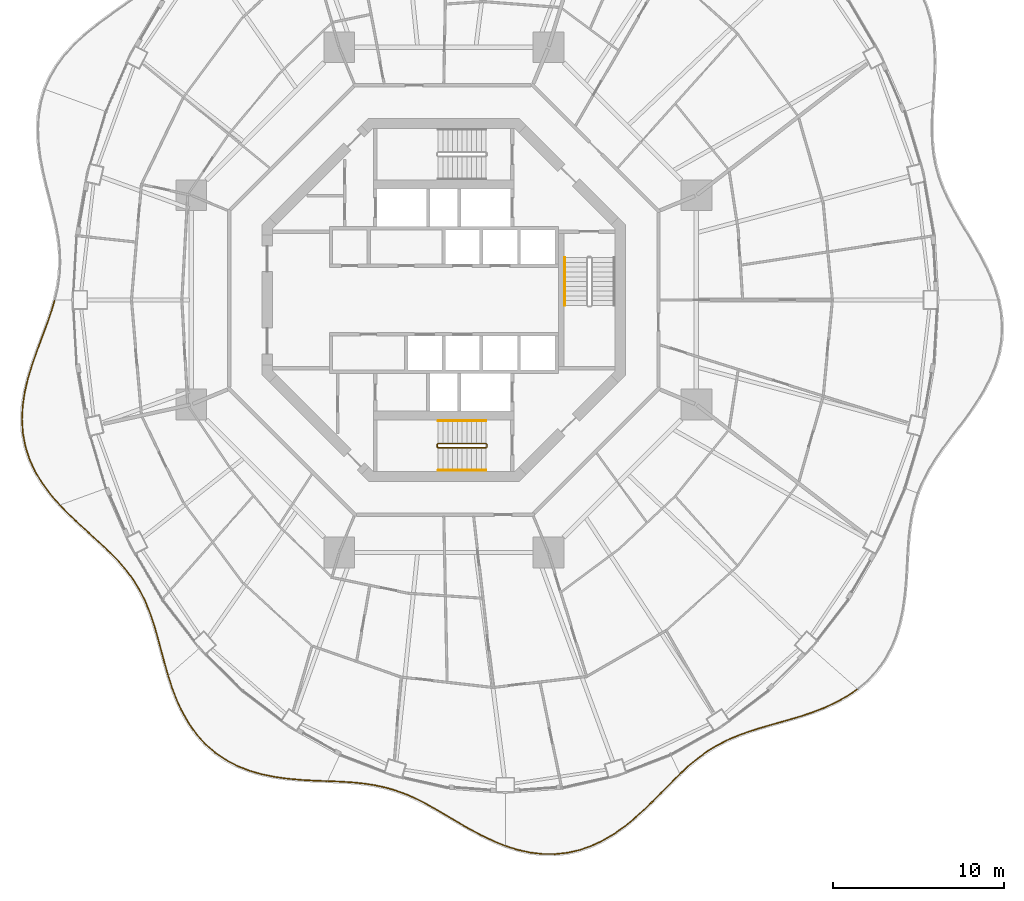
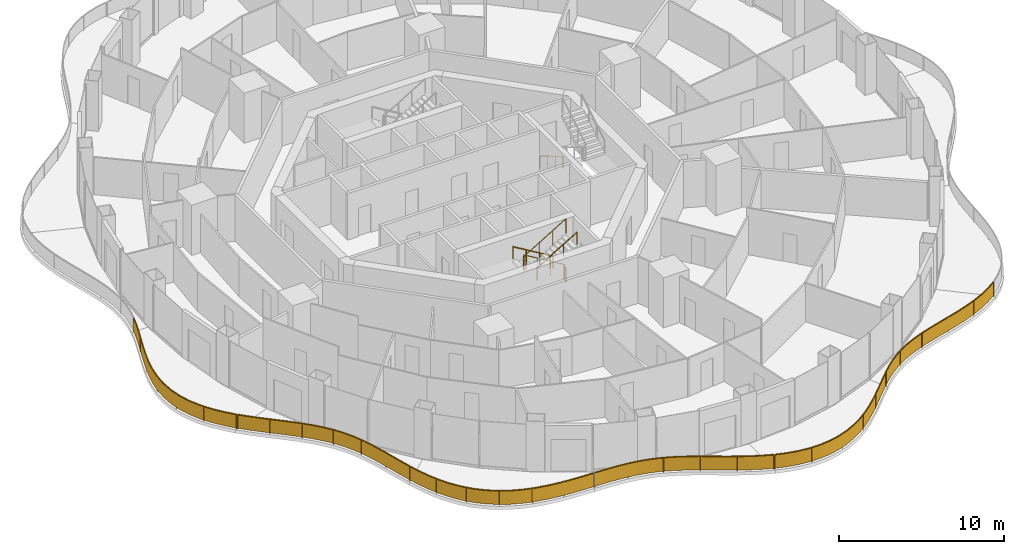
# One storey, part 17 of 19: 10 railings.
"""IFC4 building model written with IfcOpenShell, lengths in metres."""

from ifc_helpers import new_model, si_unit, direction, frame, origin, origin_2d, place, context, subcontext, project, spatial, polyline, rectangle, circle, outline, extrude, material, type_object, element, save


model = new_model("IFC4")

# Units and contexts
model_context = context("Model", 3, precision=1e-05, world=origin(), true_north=direction((0.0, 1.0)))
body_context = subcontext(model_context, "Body", "Model", "MODEL_VIEW")
ifc_project = project(units=[si_unit("LENGTHUNIT", "METRE"), si_unit("AREAUNIT", "SQUARE_METRE"), si_unit("VOLUMEUNIT", "CUBIC_METRE"), si_unit("PLANEANGLEUNIT", "RADIAN"), si_unit("MASSUNIT", "GRAM", prefix="KILO")], contexts=[model_context])

# Site, building, storey
site_placement = place(None, origin())
site = spatial("IfcSite", under=ifc_project, at=site_placement, CompositionType="ELEMENT")
building_placement = place(site_placement, origin())
building = spatial("IfcBuilding", under=site, at=building_placement, Name="Nagisa Residences", CompositionType="ELEMENT")
storey_placement = place(building_placement, frame((0.0, 0.0, 180.699951171875)))
storey = spatial("IfcBuildingStorey", under=building, at=storey_placement, Name="L45", CompositionType="ELEMENT", Elevation=180.699951171875)

# Railings
ifc_material_1 = material(Name="Stainless steel 316", Category="steel")
railing_type_1 = type_object("IfcRailingType", Name="BALCONY GUARD 1100", PredefinedType="BALUSTRADE", material=ifc_material_1)
railing_1_placement = place(storey_placement, frame((-22.77294921875, -0.0341796875, 0.0)))
element("IfcRailing", 1, at=railing_1_placement, inside=storey, type_object=railing_type_1, Name="guard:L45:bal08-0", PredefinedType="BALUSTRADE", context=body_context, shape_type="SweptSolid", body=[
    extrude(outline(polyline([(-0.184814453125, -0.699951171875), (0.02392578125, -0.00732421875), (-0.02392578125, 0.00732421875), (-0.232666015625, -0.684326171875), (-0.491455078125, -1.4287109375), (-0.77392578125, -2.1875), (-1.061767578125, -2.961669921875), (-1.335693359375, -3.75), (-1.578369140625, -4.536376953125), (-1.76806640625, -5.3447265625), (-1.889892578125, -6.1552734375), (-1.930908203125, -6.9619140625), (-1.881103515625, -7.758056640625), (-1.739013671875, -8.5234375), (-1.497314453125, -9.279052734375), (-1.1630859375, -10.006591796875), (-0.744873046875, -10.7021484375), (-0.254638671875, -11.3642578125), (0.263916015625, -11.95751953125), (0.301513671875, -11.9248046875), (-0.215576171875, -11.3330078125), (-0.703369140625, -10.67431640625), (-1.11865234375, -9.983154296875), (-1.450439453125, -9.260986328125), (-1.690185546875, -8.51123046875), (-1.831298828125, -7.751708984375), (-1.880615234375, -6.96142578125), (-1.840087890625, -6.16015625), (-1.71875, -5.35400390625), (-1.530029296875, -4.549560546875), (-1.288330078125, -3.765625), (-1.014892578125, -2.978759765625), (-0.72705078125, -2.205078125), (-0.444580078125, -1.44580078125), (-0.184814453125, -0.699951171875)])), frame((0.0, 0.0, 1.050048828125)), (0.0, 0.0, 1.0), 0.050048828125),
    extrude(outline(polyline([(-0.2021484375, -0.6943359375), (0.006591796875, -0.001953125), (-0.006591796875, 0.001953125), (-0.21533203125, -0.68994140625), (-0.474609375, -1.434814453125), (-0.757080078125, -2.19384765625), (-1.044921875, -2.9677734375), (-1.318603515625, -3.755615234375), (-1.56103515625, -4.541015625), (-1.750244140625, -5.34814453125), (-1.8720703125, -6.156982421875), (-1.912841796875, -6.961669921875), (-1.86328125, -7.755859375), (-1.721435546875, -8.51904296875), (-1.48046875, -9.2724609375), (-1.14697265625, -9.998046875), (-0.72998046875, -10.692138671875), (-0.240478515625, -11.35302734375), (0.27734375, -11.94580078125), (0.2880859375, -11.9365234375), (-0.229736328125, -11.34423828125), (-0.71826171875, -10.684326171875), (-1.134765625, -9.99169921875), (-1.46728515625, -9.267578125), (-1.707763671875, -8.515625), (-1.84912109375, -7.75390625), (-1.898681640625, -6.961669921875), (-1.85791015625, -6.158447265625), (-1.736572265625, -5.3505859375), (-1.54736328125, -4.544921875), (-1.305419921875, -3.760009765625), (-1.03173828125, -2.97265625), (-0.743896484375, -2.19873046875), (-0.46142578125, -1.439697265625), (-0.2021484375, -0.6943359375)])), frame((0.0, 0.0, 0.06005859375)), (0.0, 0.0, 1.0), 0.989990234375),
    extrude(rectangle(XDim=0.0400390625, YDim=0.0400390625, at=origin_2d()), origin(), (0.0, 0.0, 1.0), 1.050048828125),
    extrude(rectangle(XDim=0.0400390625, YDim=0.0400390625, at=origin_2d()), frame((-0.6865234375, -2.0244140625, 0.0)), (0.0, 0.0, 1.0), 1.050048828125),
    extrude(rectangle(XDim=0.0400390625, YDim=0.0400390625, at=origin_2d()), frame((-1.39892578125, -4.039794921875, 0.0)), (0.0, 0.0, 1.0), 1.050048828125),
    extrude(rectangle(XDim=0.0400390625, YDim=0.0400390625, at=origin_2d()), frame((-1.85986328125, -6.124267578125, 0.0)), (0.0, 0.0, 1.0), 1.050048828125),
    extrude(rectangle(XDim=0.0400390625, YDim=0.0400390625, at=origin_2d()), frame((-1.76416015625, -8.2509765625, 0.0)), (0.0, 0.0, 1.0), 1.050048828125),
    extrude(rectangle(XDim=0.0400390625, YDim=0.0400390625, at=origin_2d()), frame((-0.996826171875, -10.234375, 0.0)), (0.0, 0.0, 1.0), 1.050048828125),
    extrude(rectangle(XDim=0.0400390625, YDim=0.0400390625, at=origin_2d()), frame((0.28271484375, -11.941162109375, 0.0)), (0.0, 0.0, 1.0), 1.050048828125),
])
railing_2_placement = place(storey_placement, frame((-22.43701171875, -12.03125, 0.0)))
element("IfcRailing", 2, at=railing_2_placement, inside=storey, type_object=railing_type_1, Name="guard:L45:bal09-0", PredefinedType="BALUSTRADE", context=body_context, shape_type="SweptSolid", body=[
    extrude(outline(polyline([(0.554931640625, -0.528564453125), (0.017822265625, 0.017578125), (-0.017822265625, -0.017578125), (0.519775390625, -0.564208984375), (1.10888671875, -1.12158203125), (1.701904296875, -1.6611328125), (2.283447265625, -2.18994140625), (2.8388671875, -2.716064453125), (3.3505859375, -3.235107421875), (3.82275390625, -3.781005859375), (4.243896484375, -4.348876953125), (4.613037109375, -4.944580078125), (4.93212890625, -5.5732421875), (5.198486328125, -6.22412109375), (5.437744140625, -6.922607421875), (5.653076171875, -7.653076171875), (5.857666015625, -8.409912109375), (6.06494140625, -9.18505859375), (6.27490234375, -9.925048828125), (6.3232421875, -9.911376953125), (6.11328125, -9.171875), (5.906005859375, -8.396728515625), (5.701416015625, -7.639404296875), (5.485595703125, -6.907470703125), (5.245361328125, -6.20654296875), (4.9775390625, -5.55224609375), (4.656494140625, -4.920166015625), (4.285400390625, -4.320556640625), (3.86181640625, -3.749755859375), (3.38720703125, -3.200927734375), (2.8740234375, -2.680419921875), (2.317626953125, -2.1533203125), (1.735595703125, -1.6240234375), (1.14306640625, -1.0849609375), (0.554931640625, -0.528564453125)])), frame((0.0, 0.0, 1.050048828125)), (0.0, 0.0, 1.0), 0.050048828125),
    extrude(outline(polyline([(0.542236328125, -0.54150390625), (0.0048828125, 0.0048828125), (-0.0048828125, -0.0048828125), (0.532470703125, -0.55126953125), (1.12109375, -1.1083984375), (1.714111328125, -1.647705078125), (2.295654296875, -2.1767578125), (2.8515625, -2.703125), (3.36376953125, -3.22265625), (3.8369140625, -3.769775390625), (4.2587890625, -4.338623046875), (4.628662109375, -4.935791015625), (4.948486328125, -5.565673828125), (5.21533203125, -6.2177734375), (5.455078125, -6.917236328125), (5.67041015625, -7.648193359375), (5.875, -8.405029296875), (6.082275390625, -9.180419921875), (6.292236328125, -9.920166015625), (6.305908203125, -9.916259765625), (6.095947265625, -9.176513671875), (5.888671875, -8.401611328125), (5.68408203125, -7.644287109375), (5.46826171875, -6.912841796875), (5.228515625, -6.212890625), (4.961181640625, -5.559814453125), (4.640869140625, -4.928955078125), (4.2705078125, -4.330810546875), (3.84765625, -3.760986328125), (3.3740234375, -3.21337890625), (2.861328125, -2.693359375), (2.305419921875, -2.16650390625), (1.723388671875, -1.637451171875), (1.130859375, -1.09814453125), (0.542236328125, -0.54150390625)])), frame((0.0, 0.0, 0.06005859375)), (0.0, 0.0, 1.0), 0.989990234375),
    extrude(rectangle(XDim=0.0400390625, YDim=0.0400390625, at=origin_2d()), origin(), (0.0, 0.0, 1.0), 1.050048828125),
    extrude(rectangle(XDim=0.0400390625, YDim=0.0400390625, at=origin_2d()), frame((1.447265625, -1.3955078125, 0.0)), (0.0, 0.0, 1.0), 1.050048828125),
    extrude(rectangle(XDim=0.0400390625, YDim=0.0400390625, at=origin_2d()), frame((2.920654296875, -2.763427734375, 0.0)), (0.0, 0.0, 1.0), 1.050048828125),
    extrude(rectangle(XDim=0.0400390625, YDim=0.0400390625, at=origin_2d()), frame((4.22900390625, -4.28662109375, 0.0)), (0.0, 0.0, 1.0), 1.050048828125),
    extrude(rectangle(XDim=0.0400390625, YDim=0.0400390625, at=origin_2d()), frame((5.15966796875, -6.0634765625, 0.0)), (0.0, 0.0, 1.0), 1.050048828125),
    extrude(rectangle(XDim=0.0400390625, YDim=0.0400390625, at=origin_2d()), frame((5.76708984375, -7.97900390625, 0.0)), (0.0, 0.0, 1.0), 1.050048828125),
    extrude(rectangle(XDim=0.0400390625, YDim=0.0400390625, at=origin_2d()), frame((6.299072265625, -9.918212890625, 0.0)), (0.0, 0.0, 1.0), 1.050048828125),
])
railing_3_placement = place(storey_placement, frame((-16.11669921875, -22.023193359375, 0.0)))
element("IfcRailing", 3, at=railing_3_placement, inside=storey, type_object=railing_type_1, Name="guard:L45:bal10-0", PredefinedType="BALUSTRADE", context=body_context, shape_type="SweptSolid", body=[
    extrude(outline(polyline([(0.249755859375, -0.691650390625), (0.02392578125, 0.0078125), (-0.02392578125, -0.0078125), (0.202392578125, -0.708251953125), (0.48486328125, -1.43701171875), (0.81494140625, -2.139892578125), (1.19970703125, -2.804931640625), (1.6435546875, -3.421875), (2.135986328125, -3.971435546875), (2.699951171875, -4.467529296875), (3.31982421875, -4.894287109375), (3.98974609375, -5.25), (4.7021484375, -5.535888671875), (5.434814453125, -5.747314453125), (6.20166015625, -5.90625), (6.9833984375, -6.015869140625), (7.7685546875, -6.086181640625), (8.54833984375, -6.130126953125), (9.2705078125, -6.156982421875), (9.2724609375, -6.107177734375), (8.55078125, -6.080322265625), (7.77197265625, -6.036376953125), (6.9892578125, -5.966064453125), (6.21044921875, -5.85693359375), (5.447021484375, -5.698486328125), (4.71826171875, -5.488525390625), (4.0107421875, -5.20458984375), (3.345703125, -4.851318359375), (2.730712890625, -4.427978515625), (2.171142578125, -3.935791015625), (1.6826171875, -3.390625), (1.24169921875, -2.777587890625), (0.859375, -2.116455078125), (0.53076171875, -1.41748046875), (0.249755859375, -0.691650390625)])), frame((0.0, 0.0, 1.050048828125)), (0.0, 0.0, 1.0), 0.050048828125),
    extrude(outline(polyline([(0.232666015625, -0.697509765625), (0.006591796875, 0.002197265625), (-0.006591796875, -0.002197265625), (0.219482421875, -0.702392578125), (0.50146484375, -1.429931640625), (0.8310546875, -2.13134765625), (1.21484375, -2.795166015625), (1.65771484375, -3.41064453125), (2.148681640625, -3.95849609375), (2.7109375, -4.453369140625), (3.3291015625, -4.87890625), (3.997314453125, -5.233642578125), (4.7080078125, -5.518798828125), (5.439208984375, -5.729736328125), (6.204833984375, -5.888427734375), (6.985595703125, -5.997802734375), (7.769775390625, -6.068359375), (8.54931640625, -6.1123046875), (9.271240234375, -6.13916015625), (9.271728515625, -6.125), (8.5498046875, -6.09814453125), (7.770751953125, -6.05419921875), (6.987060546875, -5.984130859375), (6.207275390625, -5.874755859375), (5.442626953125, -5.716064453125), (4.71240234375, -5.505615234375), (4.003173828125, -5.220947265625), (3.33642578125, -4.86669921875), (2.7197265625, -4.442138671875), (2.158447265625, -3.94873046875), (1.66845703125, -3.40185546875), (1.2265625, -2.787353515625), (0.84326171875, -2.125), (0.51416015625, -1.424560546875), (0.232666015625, -0.697509765625)])), frame((0.0, 0.0, 0.06005859375)), (0.0, 0.0, 1.0), 0.989990234375),
    extrude(rectangle(XDim=0.0400390625, YDim=0.0400390625, at=origin_2d()), origin(), (0.0, 0.0, 1.0), 1.050048828125),
    extrude(rectangle(XDim=0.0400390625, YDim=0.0400390625, at=origin_2d()), frame((0.72705078125, -1.89404296875, 0.0)), (0.0, 0.0, 1.0), 1.050048828125),
    extrude(rectangle(XDim=0.0400390625, YDim=0.0400390625, at=origin_2d()), frame((1.8291015625, -3.591552734375, 0.0)), (0.0, 0.0, 1.0), 1.050048828125),
    extrude(rectangle(XDim=0.0400390625, YDim=0.0400390625, at=origin_2d()), frame((3.37451171875, -4.89501953125, 0.0)), (0.0, 0.0, 1.0), 1.050048828125),
    extrude(rectangle(XDim=0.0400390625, YDim=0.0400390625, at=origin_2d()), frame((5.245849609375, -5.666748046875, 0.0)), (0.0, 0.0, 1.0), 1.050048828125),
    extrude(rectangle(XDim=0.0400390625, YDim=0.0400390625, at=origin_2d()), frame((7.244140625, -6.01416015625, 0.0)), (0.0, 0.0, 1.0), 1.050048828125),
    extrude(rectangle(XDim=0.0400390625, YDim=0.0400390625, at=origin_2d()), frame((9.271484375, -6.132080078125, 0.0)), (0.0, 0.0, 1.0), 1.050048828125),
])
railing_4_placement = place(storey_placement, frame((-6.77001953125, -28.156494140625, 0.0)))
element("IfcRailing", 4, at=railing_4_placement, inside=storey, type_object=railing_type_1, Name="guard:L45:bal11-0", PredefinedType="BALUSTRADE", context=body_context, shape_type="SweptSolid", body=[
    extrude(outline(polyline([(0.67822265625, -0.001708984375), (0.0009765625, 0.02490234375), (-0.0009765625, -0.02490234375), (0.67578125, -0.051513671875), (1.37744140625, -0.0947265625), (2.057373046875, -0.16162109375), (2.716064453125, -0.260498046875), (3.35498046875, -0.398193359375), (3.96142578125, -0.57470703125), (4.5732421875, -0.80126953125), (5.179443359375, -1.07177734375), (5.78564453125, -1.38134765625), (6.397216796875, -1.7236328125), (7.001708984375, -2.086181640625), (7.638427734375, -2.462890625), (8.292724609375, -2.837646484375), (8.966796875, -3.19677734375), (9.65966796875, -3.52587890625), (10.32470703125, -3.795654296875), (10.34375, -3.749267578125), (9.6796875, -3.47998046875), (8.9892578125, -3.15185546875), (8.317138671875, -2.793701171875), (7.663818359375, -2.41943359375), (7.027099609375, -2.043212890625), (6.422119140625, -1.68017578125), (5.80908203125, -1.33740234375), (5.200927734375, -1.0263671875), (4.59228515625, -0.7548828125), (3.97705078125, -0.52734375), (3.3671875, -0.349853515625), (2.724853515625, -0.211181640625), (2.063720703125, -0.11181640625), (1.38134765625, -0.044921875), (0.67822265625, -0.001708984375)])), frame((0.0, 0.0, 1.050048828125)), (0.0, 0.0, 1.0), 0.050048828125),
    extrude(outline(polyline([(0.67724609375, -0.01953125), (0.000244140625, 0.007080078125), (-0.000244140625, -0.007080078125), (0.6767578125, -0.03369140625), (1.37890625, -0.076904296875), (2.0595703125, -0.1435546875), (2.71923828125, -0.24267578125), (3.359375, -0.380859375), (3.967041015625, -0.5576171875), (4.580078125, -0.78466796875), (5.187255859375, -1.055419921875), (5.7939453125, -1.365478515625), (6.40625, -1.7080078125), (7.0107421875, -2.07080078125), (7.647705078125, -2.447265625), (8.301513671875, -2.82177734375), (8.974853515625, -3.1806640625), (9.666748046875, -3.50927734375), (10.33154296875, -3.779052734375), (10.3369140625, -3.765869140625), (9.672607421875, -3.49658203125), (8.981201171875, -3.16796875), (8.308349609375, -2.8095703125), (7.654541015625, -2.43505859375), (7.01806640625, -2.05859375), (6.4130859375, -1.69580078125), (5.80078125, -1.353271484375), (5.193115234375, -1.042724609375), (4.58544921875, -0.771484375), (3.971435546875, -0.54443359375), (3.36279296875, -0.3671875), (2.7216796875, -0.22900390625), (2.0615234375, -0.1298828125), (1.3798828125, -0.062744140625), (0.67724609375, -0.01953125)])), frame((0.0, 0.0, 0.06005859375)), (0.0, 0.0, 1.0), 0.989990234375),
    extrude(rectangle(XDim=0.0400390625, YDim=0.0400390625, at=origin_2d()), origin(), (0.0, 0.0, 1.0), 1.050048828125),
    extrude(rectangle(XDim=0.0400390625, YDim=0.0400390625, at=origin_2d()), frame((2.226806640625, -0.16162109375, 0.0)), (0.0, 0.0, 1.0), 1.050048828125),
    extrude(rectangle(XDim=0.0400390625, YDim=0.0400390625, at=origin_2d()), frame((4.38720703125, -0.705810546875, 0.0)), (0.0, 0.0, 1.0), 1.050048828125),
    extrude(rectangle(XDim=0.0400390625, YDim=0.0400390625, at=origin_2d()), frame((6.38916015625, -1.6904296875, 0.0)), (0.0, 0.0, 1.0), 1.050048828125),
    extrude(rectangle(XDim=0.0400390625, YDim=0.0400390625, at=origin_2d()), frame((8.3154296875, -2.8212890625, 0.0)), (0.0, 0.0, 1.0), 1.050048828125),
    extrude(rectangle(XDim=0.0400390625, YDim=0.0400390625, at=origin_2d()), frame((10.334228515625, -3.7724609375, 0.0)), (0.0, 0.0, 1.0), 1.050048828125),
])
railing_5_placement = place(storey_placement, frame((3.63671875, -31.955810546875, 0.0)))
element("IfcRailing", 5, at=railing_5_placement, inside=storey, type_object=railing_type_1, Name="guard:L45:bal12-0", PredefinedType="BALUSTRADE", context=body_context, shape_type="SweptSolid", body=[
    extrude(outline(polyline([(0.6845703125, -0.192626953125), (0.007568359375, 0.02392578125), (-0.007568359375, -0.02392578125), (0.67138671875, -0.240966796875), (1.40771484375, -0.40283203125), (2.149169921875, -0.489013671875), (2.8896484375, -0.49365234375), (3.62109375, -0.41357421875), (4.325439453125, -0.251953125), (5.02685546875, -0.006591796875), (5.704345703125, 0.3134765625), (6.355224609375, 0.69921875), (6.977294921875, 1.14013671875), (7.553955078125, 1.617919921875), (8.1201171875, 2.1298828125), (8.662841796875, 2.65673828125), (9.186279296875, 3.185546875), (9.69677734375, 3.703857421875), (10.167724609375, 4.170166015625), (10.132568359375, 4.205810546875), (9.6611328125, 3.739013671875), (9.150634765625, 3.220703125), (8.627685546875, 2.6923828125), (8.0859375, 2.16650390625), (7.521240234375, 1.656005859375), (6.947021484375, 1.1796875), (6.327880859375, 0.7412109375), (5.680908203125, 0.35791015625), (5.0078125, 0.039794921875), (4.311767578125, -0.20361328125), (3.61279296875, -0.3642578125), (2.88720703125, -0.443359375), (2.152099609375, -0.439208984375), (1.416015625, -0.353515625), (0.6845703125, -0.192626953125)])), frame((0.0, 0.0, 1.050048828125)), (0.0, 0.0, 1.0), 0.050048828125),
    extrude(outline(polyline([(0.6796875, -0.2099609375), (0.002197265625, 0.006591796875), (-0.002197265625, -0.006591796875), (0.67626953125, -0.2236328125), (1.41064453125, -0.385009765625), (2.150146484375, -0.47119140625), (2.888671875, -0.4755859375), (3.6181640625, -0.395751953125), (4.320556640625, -0.234619140625), (5.02001953125, 0.010009765625), (5.69580078125, 0.32958984375), (6.345458984375, 0.71435546875), (6.96630859375, 1.154296875), (7.542236328125, 1.631591796875), (8.10791015625, 2.14306640625), (8.650146484375, 2.669677734375), (9.17333984375, 3.1982421875), (9.683837890625, 3.716552734375), (10.155029296875, 4.18310546875), (10.145263671875, 4.19287109375), (9.674072265625, 3.726318359375), (9.16357421875, 3.2080078125), (8.640380859375, 2.679443359375), (8.09814453125, 2.1533203125), (7.532958984375, 1.642333984375), (6.9580078125, 1.16552734375), (6.337646484375, 0.72607421875), (5.689453125, 0.341796875), (5.0146484375, 0.023193359375), (4.316650390625, -0.220947265625), (3.61572265625, -0.382080078125), (2.88818359375, -0.46142578125), (2.151123046875, -0.45703125), (1.4130859375, -0.371337890625), (0.6796875, -0.2099609375)])), frame((0.0, 0.0, 0.06005859375)), (0.0, 0.0, 1.0), 0.989990234375),
    extrude(rectangle(XDim=0.0400390625, YDim=0.0400390625, at=origin_2d()), origin(), (0.0, 0.0, 1.0), 1.050048828125),
    extrude(rectangle(XDim=0.0400390625, YDim=0.0400390625, at=origin_2d()), frame((2.303466796875, -0.465087890625, 0.0)), (0.0, 0.0, 1.0), 1.050048828125),
    extrude(rectangle(XDim=0.0400390625, YDim=0.0400390625, at=origin_2d()), frame((4.622802734375, -0.121337890625, 0.0)), (0.0, 0.0, 1.0), 1.050048828125),
    extrude(rectangle(XDim=0.0400390625, YDim=0.0400390625, at=origin_2d()), frame((6.701171875, 0.974853515625, 0.0)), (0.0, 0.0, 1.0), 1.050048828125),
    extrude(rectangle(XDim=0.0400390625, YDim=0.0400390625, at=origin_2d()), frame((8.4833984375, 2.517333984375, 0.0)), (0.0, 0.0, 1.0), 1.050048828125),
    extrude(rectangle(XDim=0.0400390625, YDim=0.0400390625, at=origin_2d()), frame((10.150146484375, 4.18798828125, 0.0)), (0.0, 0.0, 1.0), 1.050048828125),
])
railing_6_placement = place(storey_placement, frame((13.83837890625, -27.715576171875, 0.0)))
element("IfcRailing", 6, at=railing_6_placement, inside=storey, type_object=railing_type_1, Name="guard:L45:bal13-0", PredefinedType="BALUSTRADE", context=body_context, shape_type="SweptSolid", body=[
    extrude(outline(polyline([(0.474365234375, 0.47265625), (-0.01708984375, 0.018310546875), (0.01708984375, -0.018310546875), (0.507568359375, 0.43505859375), (1.0400390625, 0.87744140625), (1.589111328125, 1.275390625), (2.1611328125, 1.62841796875), (2.7607421875, 1.937744140625), (3.377197265625, 2.199951171875), (4.038330078125, 2.43994140625), (4.729248046875, 2.658203125), (5.44482421875, 2.865478515625), (6.17919921875, 3.07373046875), (6.9111328125, 3.2841796875), (7.655029296875, 3.529052734375), (8.387451171875, 3.808837890625), (9.09619140625, 4.1318359375), (9.770263671875, 4.505615234375), (10.360107421875, 4.906005859375), (10.331787109375, 4.947509765625), (9.743896484375, 4.548095703125), (9.07373046875, 4.1767578125), (8.367919921875, 3.855224609375), (7.638427734375, 3.576416015625), (6.896484375, 3.33203125), (6.16552734375, 3.1220703125), (5.43115234375, 2.913818359375), (4.714599609375, 2.7060546875), (4.022216796875, 2.4873046875), (3.358642578125, 2.246337890625), (2.7392578125, 1.983154296875), (2.13671875, 1.671875), (1.561279296875, 1.31689453125), (1.00927734375, 0.9169921875), (0.474365234375, 0.47265625)])), frame((0.0, 0.0, 1.050048828125)), (0.0, 0.0, 1.0), 0.050048828125),
    extrude(outline(polyline([(0.486328125, 0.459228515625), (-0.004638671875, 0.005126953125), (0.004638671875, -0.005126953125), (0.49560546875, 0.448486328125), (1.029052734375, 0.8916015625), (1.5791015625, 1.290283203125), (2.15234375, 1.64404296875), (2.7529296875, 1.9541015625), (3.37060546875, 2.216552734375), (4.032470703125, 2.45703125), (4.723876953125, 2.675537109375), (5.43994140625, 2.8828125), (6.17431640625, 3.091064453125), (6.90576171875, 3.301513671875), (7.649169921875, 3.546142578125), (8.38037109375, 3.82568359375), (9.088134765625, 4.14794921875), (9.7607421875, 4.52099609375), (10.349853515625, 4.9208984375), (10.342041015625, 4.9326171875), (9.75341796875, 4.53271484375), (9.081787109375, 4.16064453125), (8.375, 3.83837890625), (7.644287109375, 3.559326171875), (6.90185546875, 3.314697265625), (6.17041015625, 3.104736328125), (5.43603515625, 2.896484375), (4.719970703125, 2.688720703125), (4.028076171875, 2.47021484375), (3.365234375, 2.229736328125), (2.7470703125, 1.966796875), (2.1455078125, 1.65625), (1.5712890625, 1.302001953125), (1.020263671875, 0.90283203125), (0.486328125, 0.459228515625)])), frame((0.0, 0.0, 0.06005859375)), (0.0, 0.0, 1.0), 0.989990234375),
    extrude(rectangle(XDim=0.0400390625, YDim=0.0400390625, at=origin_2d()), origin(), (0.0, 0.0, 1.0), 1.050048828125),
    extrude(rectangle(XDim=0.0400390625, YDim=0.0400390625, at=origin_2d()), frame((1.809326171875, 1.4404296875, 0.0)), (0.0, 0.0, 1.0), 1.050048828125),
    extrude(rectangle(XDim=0.0400390625, YDim=0.0400390625, at=origin_2d()), frame((3.90380859375, 2.417724609375, 0.0)), (0.0, 0.0, 1.0), 1.050048828125),
    extrude(rectangle(XDim=0.0400390625, YDim=0.0400390625, at=origin_2d()), frame((6.123046875, 3.083984375, 0.0)), (0.0, 0.0, 1.0), 1.050048828125),
    extrude(rectangle(XDim=0.0400390625, YDim=0.0400390625, at=origin_2d()), frame((8.32177734375, 3.810791015625, 0.0)), (0.0, 0.0, 1.0), 1.050048828125),
    extrude(rectangle(XDim=0.0400390625, YDim=0.0400390625, at=origin_2d()), frame((10.345947265625, 4.9267578125, 0.0)), (0.0, 0.0, 1.0), 1.050048828125),
])
ifc_material_2 = material(Name="Stainless steel", Category="steel")
railing_type_2 = type_object("IfcRailingType", Name="Stair guard 1100", PredefinedType="GUARDRAIL", material=ifc_material_2)
railing_7_placement = place(storey_placement, frame((2.52490234375, -8.599609375, 0.0)))
element("IfcRailing", 7, at=railing_7_placement, inside=storey, type_object=railing_type_2, Name="L45 ST-S stair guard 1", PredefinedType="GUARDRAIL", context=body_context, shape_type="SweptSolid", body=[
    extrude(circle(Radius=0.02392578125, at=origin_2d()), frame((0.0, 0.0, 1.076171875), z_axis=(0.0, 1.0, 0.0), x_axis=(-1.0, 0.0, 0.0)), (0.0, 0.0, 1.0), 0.14990234375),
    extrude(circle(Radius=0.02392578125, at=origin_2d()), frame((0.0, 0.14990234375, 1.076171875), z_axis=(-0.273006030465, 0.27434429532, 0.922064485248), x_axis=(-0.708833529934, -0.705375805398, 0.0)), (0.0, 0.0, 1.0), 0.182373046875),
    extrude(circle(Radius=0.02392578125, at=origin_2d()), frame((-0.0498046875, 0.199951171875, 1.244140625), z_axis=(-0.857242210791, 0.0, 0.514913383045), x_axis=(0.0, -1.0, 0.0)), (0.0, 0.0, 1.0), 3.266357421875),
    extrude(circle(Radius=0.02392578125, at=origin_2d()), frame((-2.849853515625, 0.199951171875, 2.92626953125), z_axis=(-0.707106781187, -0.707106781187, 0.0), x_axis=(0.707106781187, -0.707106781187, 0.0)), (0.0, 0.0, 1.0), 0.07080078125),
    extrude(circle(Radius=0.02392578125, at=origin_2d()), frame((-2.89990234375, 0.14990234375, 2.92626953125), z_axis=(0.0, -1.0, 0.0), x_axis=(1.0, 0.0, 0.0)), (0.0, 0.0, 1.0), 0.14990234375),
    extrude(circle(Radius=0.02392578125, at=origin_2d()), frame((-2.89990234375, 0.0, 2.92626953125), z_axis=(0.274243871929, -0.274243871929, 0.92172696468), x_axis=(0.707106781187, 0.707106781187, 0.0)), (0.0, 0.0, 1.0), 0.1826171875),
    extrude(circle(Radius=0.02392578125, at=origin_2d()), frame((-2.849853515625, -0.050048828125, 3.09423828125), z_axis=(0.857275202839, 0.0, 0.514858452973), x_axis=(0.0, 1.0, 0.0)), (0.0, 0.0, 1.0), 3.26611328125),
    extrude(circle(Radius=0.02099609375, at=origin_2d()), origin(), (0.0, 0.0, 1.0), 1.052001953125),
    extrude(circle(Radius=0.02099609375, at=origin_2d()), frame((0.0, 0.14990234375, 0.0)), (0.0, 0.0, 1.0), 1.052001953125),
    extrude(circle(Radius=0.02099609375, at=origin_2d()), frame((-0.0498046875, 0.199951171875, 0.168212890625)), (0.0, 0.0, 1.0), 1.052001953125),
    extrude(circle(Radius=0.02099609375, at=origin_2d()), frame((-0.983154296875, 0.199951171875, 0.728759765625)), (0.0, 0.0, 1.0), 1.052001953125),
    extrude(circle(Radius=0.02099609375, at=origin_2d()), frame((-1.91650390625, 0.199951171875, 1.28955078125)), (0.0, 0.0, 1.0), 1.052001953125),
    extrude(circle(Radius=0.02099609375, at=origin_2d()), frame((-2.849853515625, 0.199951171875, 1.85009765625)), (0.0, 0.0, 1.0), 1.052001953125),
    extrude(circle(Radius=0.02099609375, at=origin_2d()), frame((-2.89990234375, 0.14990234375, 1.85009765625)), (0.0, 0.0, 1.0), 1.052001953125),
    extrude(circle(Radius=0.02099609375, at=origin_2d()), frame((-2.89990234375, 0.0, 1.85009765625)), (0.0, 0.0, 1.0), 1.052001953125),
    extrude(circle(Radius=0.02099609375, at=origin_2d()), frame((-2.849853515625, -0.050048828125, 2.018310546875)), (0.0, 0.0, 1.0), 1.052001953125),
    extrude(circle(Radius=0.02099609375, at=origin_2d()), frame((-1.91650390625, -0.050048828125, 2.578857421875)), (0.0, 0.0, 1.0), 1.052001953125),
    extrude(circle(Radius=0.02099609375, at=origin_2d()), frame((-0.983154296875, -0.050048828125, 3.139404296875)), (0.0, 0.0, 1.0), 1.052001953125),
    extrude(circle(Radius=0.02099609375, at=origin_2d()), frame((-0.0498046875, -0.050048828125, 3.699951171875)), (0.0, 0.0, 1.0), 1.052001953125),
])
ifc_material_3 = material(Name="Stainless steel", Category="steel")
railing_type_3 = type_object("IfcRailingType", Name="Stair handrail 900", PredefinedType="HANDRAIL", material=ifc_material_3)
railing_8_placement = place(storey_placement, frame((7.07470703125, 2.47509765625, 0.168212890625)))
element("IfcRailing", 8, at=railing_8_placement, inside=storey, type_object=railing_type_3, Name="L45 ST-E stair handrail 1", PredefinedType="HANDRAIL", context=body_context, shape_type="SweptSolid", body=[
    extrude(circle(Radius=0.02392578125, at=origin_2d()), frame((0.0, 0.0, 0.8759765625), z_axis=(0.0, -0.857242210791, 0.514913383045), x_axis=(1.0, 0.0, 0.0)), (0.0, 0.0, 1.0), 3.266357421875),
    extrude(circle(Radius=0.02099609375, at=origin_2d()), origin(), (0.0, 0.0, 1.0), 0.851806640625),
    extrude(circle(Radius=0.02099609375, at=origin_2d()), frame((0.0, -0.933349609375, 0.560546875)), (0.0, 0.0, 1.0), 0.851806640625),
    extrude(circle(Radius=0.02099609375, at=origin_2d()), frame((0.0, -1.86669921875, 1.121337890625)), (0.0, 0.0, 1.0), 0.851806640625),
    extrude(circle(Radius=0.02099609375, at=origin_2d()), frame((0.0, -2.800048828125, 1.681884765625)), (0.0, 0.0, 1.0), 0.851806640625),
])
railing_9_placement = place(storey_placement, frame((2.47509765625, -7.07470703125, 0.168212890625)))
element("IfcRailing", 9, at=railing_9_placement, inside=storey, type_object=railing_type_3, Name="L45 ST-S stair handrail 1", PredefinedType="HANDRAIL", context=body_context, shape_type="SweptSolid", body=[
    extrude(circle(Radius=0.02392578125, at=origin_2d()), frame((0.0, 0.0, 0.8759765625), z_axis=(-0.857242210791, 0.0, 0.514913383045), x_axis=(0.0, -1.0, 0.0)), (0.0, 0.0, 1.0), 3.266357421875),
    extrude(circle(Radius=0.02099609375, at=origin_2d()), origin(), (0.0, 0.0, 1.0), 0.851806640625),
    extrude(circle(Radius=0.02099609375, at=origin_2d()), frame((-0.933349609375, 0.0, 0.560546875)), (0.0, 0.0, 1.0), 0.851806640625),
    extrude(circle(Radius=0.02099609375, at=origin_2d()), frame((-1.86669921875, 0.0, 1.121337890625)), (0.0, 0.0, 1.0), 0.851806640625),
    extrude(circle(Radius=0.02099609375, at=origin_2d()), frame((-2.800048828125, 0.0, 1.681884765625)), (0.0, 0.0, 1.0), 0.851806640625),
])
railing_10_placement = place(storey_placement, frame((-0.324951171875, -9.974609375, 2.018310546875)))
element("IfcRailing", 10, at=railing_10_placement, inside=storey, type_object=railing_type_3, Name="L45 ST-S stair handrail 2", PredefinedType="HANDRAIL", context=body_context, shape_type="SweptSolid", body=[
    extrude(circle(Radius=0.02392578125, at=origin_2d()), frame((0.0, 0.0, 0.8759765625), z_axis=(0.857275202839, 0.0, 0.514858452973), x_axis=(0.0, 1.0, 0.0)), (0.0, 0.0, 1.0), 3.26611328125),
    extrude(circle(Radius=0.02099609375, at=origin_2d()), origin(), (0.0, 0.0, 1.0), 0.851806640625),
    extrude(circle(Radius=0.02099609375, at=origin_2d()), frame((0.933349609375, 0.0, 0.560546875)), (0.0, 0.0, 1.0), 0.851806640625),
    extrude(circle(Radius=0.02099609375, at=origin_2d()), frame((1.86669921875, 0.0, 1.12109375)), (0.0, 0.0, 1.0), 0.851806640625),
    extrude(circle(Radius=0.02099609375, at=origin_2d()), frame((2.800048828125, 0.0, 1.681640625)), (0.0, 0.0, 1.0), 0.851806640625),
])

save(model, "model.ifc")
